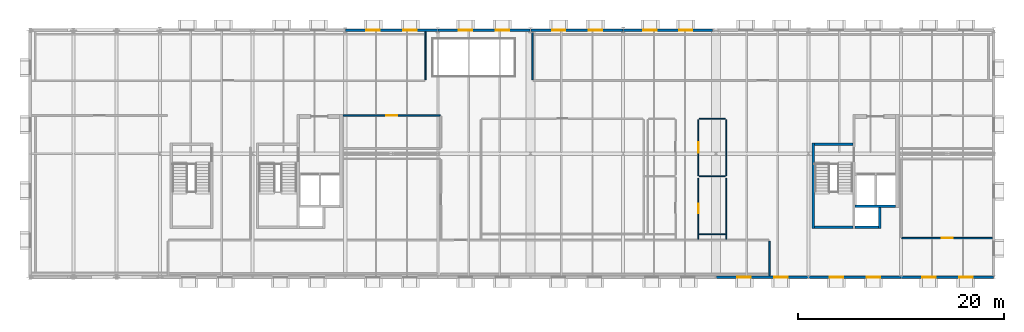
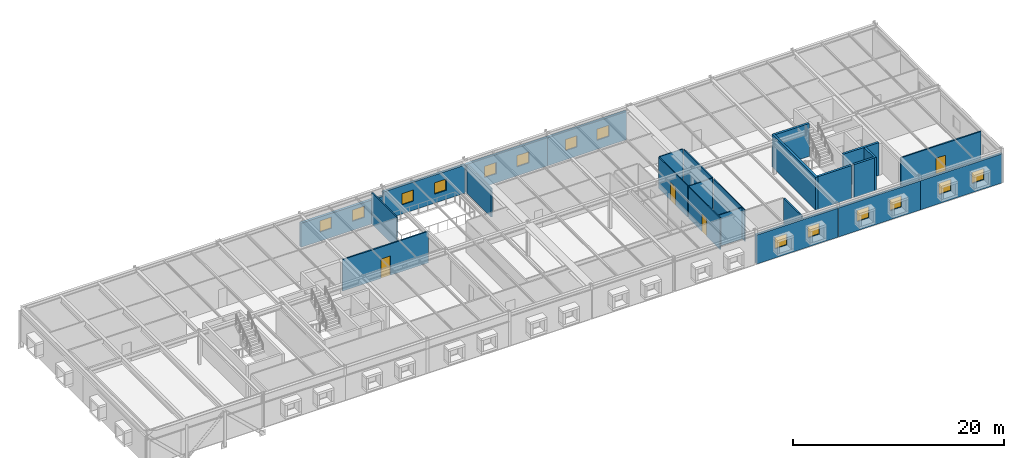
# One storey, part 13 of 17: 25 walls, 14 windows, 4 doors, 18 openings.
"""IFC4 building model written with IfcOpenShell, lengths in metres."""

import ifcopenshell
import ifcopenshell.guid

model = None  # the IFC model being written
_history = None  # IfcOwnerHistory: only IFC2X3 demands one
_inside = {}  # id of a spatial element -> (the spatial element, [elements in it])
_under = {}  # id of a project, library or spatial element -> (it, [spatial elements below it])
_declared = {}  # id of a project -> (the project, [libraries it declares])
_typed = {}  # id of a type object -> (the type object, [elements of that type])
_made_of = {}  # id of a material, layer set ... -> (it, [elements and type objects made of it])


def new_model(schema):
    """Start an empty IFC model of exactly this schema.

    Asked for "IFC4X3", IfcOpenShell would pick the latest addendum, in which some entities
    have other attributes; the version numbers below select the first issue.
    IFC2X3 requires an IfcOwnerHistory on every rooted entity: one is made here for all.
    """
    global model, _history
    if schema == "IFC4X3":
        model = ifcopenshell.file(schema_version=(4, 3, 0, 0))
    else:
        model = ifcopenshell.file(schema=schema)
    _inside.clear()
    _under.clear()
    _declared.clear()
    _typed.clear()
    _made_of.clear()
    _history = None
    if model.schema == "IFC2X3":
        org = make("IfcOrganization", Name="unknown")
        user = make(
            "IfcPersonAndOrganization",
            ThePerson=make("IfcPerson", FamilyName="unknown"),
            TheOrganization=org,
        )
        app = make(
            "IfcApplication",
            ApplicationDeveloper=org,
            Version="unknown",
            ApplicationFullName="unknown",
            ApplicationIdentifier="unknown",
        )
        _history = make(
            "IfcOwnerHistory",
            OwningUser=user,
            OwningApplication=app,
            ChangeAction="ADDED",
            CreationDate=0,
        )
    return model


def make(cls, **values):
    """One entity of the class cls with the attributes given. An attribute that is None is left unset."""
    return model.create_entity(
        cls, **{name: value for name, value in values.items() if value is not None}
    )


def rooted(cls, **values):
    """An entity with a GlobalId (a new one), such as an element, a storey or a relation."""
    return make(cls, GlobalId=ifcopenshell.guid.new(), OwnerHistory=_history, **values)


def si_unit(unit_type, name, prefix=None):
    """IfcSIUnit, for example si_unit("LENGTHUNIT", "METRE", prefix="MILLI")."""
    return make("IfcSIUnit", UnitType=unit_type, Prefix=prefix, Name=name)


def assignment(units):
    """IfcUnitAssignment: the units of a project."""
    return None if units is None else make("IfcUnitAssignment", Units=units)


def point(xyz):
    """IfcCartesianPoint."""
    return None if xyz is None else make("IfcCartesianPoint", Coordinates=xyz)


def direction(xyz):
    """IfcDirection."""
    return None if xyz is None else make("IfcDirection", DirectionRatios=xyz)


def frame(location, z_axis=None, x_axis=None):
    """IfcAxis2Placement3D, a coordinate frame: its origin and axes. An axis left out is left unset."""
    return make(
        "IfcAxis2Placement3D",
        Location=point(location),
        Axis=direction(z_axis),
        RefDirection=direction(x_axis),
    )


def frame_2d(location, x_axis=None):
    """IfcAxis2Placement2D, a coordinate frame in the plane: its origin and x axis."""
    return make(
        "IfcAxis2Placement2D", Location=point(location), RefDirection=direction(x_axis)
    )


def origin():
    """The frame at (0, 0, 0) with its axes left unset."""
    return frame((0.0, 0.0, 0.0))


def place(relative_to, where):
    """IfcLocalPlacement: puts the frame where relative to a parent placement (None: the world)."""
    return make(
        "IfcLocalPlacement", PlacementRelTo=relative_to, RelativePlacement=where
    )


def context(
    kind, dimensions, precision=None, world=None, true_north=None, identifier=None
):
    """IfcGeometricRepresentationContext, for example the 3D "Model" context."""
    return make(
        "IfcGeometricRepresentationContext",
        ContextIdentifier=identifier,
        ContextType=kind,
        CoordinateSpaceDimension=dimensions,
        Precision=precision,
        WorldCoordinateSystem=world,
        TrueNorth=true_north,
    )


def subcontext(parent, identifier, kind, view, scale=None):
    """IfcGeometricRepresentationSubContext, for example "Body" below "Model"."""
    return make(
        "IfcGeometricRepresentationSubContext",
        ContextIdentifier=identifier,
        ContextType=kind,
        ParentContext=parent,
        TargetScale=scale,
        TargetView=view,
    )


def project(units=None, contexts=None):
    """IfcProject with its units and contexts."""
    return rooted(
        "IfcProject",
        Name="project",
        RepresentationContexts=contexts,
        UnitsInContext=assignment(units),
    )


def spatial(cls, under=None, at=None, **own):
    """A site, building, storey or space (cls), placed at a placement, below another one or the project."""
    s = rooted(cls, ObjectPlacement=at, **own)
    if under is not None:
        _under.setdefault(under.id(), (under, []))[1].append(s)
    return s


def profile(cls, at=None, kind="AREA", **sizes):
    """A parametric profile (cls). Its sizes go by their IFC names, for example OverallWidth=200.0."""
    return make(cls, ProfileType=kind, Position=at, **sizes)


def rectangle(**sizes):
    """IfcRectangleProfileDef."""
    return profile("IfcRectangleProfileDef", **sizes)


def extrude(swept, where, along, depth):
    """IfcExtrudedAreaSolid: the profile swept, set in the frame where, extruded along a direction by depth."""
    return make(
        "IfcExtrudedAreaSolid",
        SweptArea=swept,
        Position=where,
        ExtrudedDirection=direction(along),
        Depth=depth,
    )


def shape(context_of_items, identifier, shape_type, items):
    """IfcShapeRepresentation: the items that make up one representation, for example the "Body"."""
    return make(
        "IfcShapeRepresentation",
        ContextOfItems=context_of_items,
        RepresentationIdentifier=identifier,
        RepresentationType=shape_type,
        Items=items,
    )


def material(Name=None, Category=None):
    """IfcMaterial."""
    return make("IfcMaterial", Name=Name, Category=Category)


def layer(
    of_material, thickness, ventilated=None, Name=None, Category=None, Priority=None
):
    """IfcMaterialLayer: one layer of a wall or slab, of a material (None: an air gap)."""
    return make(
        "IfcMaterialLayer",
        Material=of_material,
        LayerThickness=thickness,
        IsVentilated=ventilated,
        Name=Name,
        Category=Category,
        Priority=Priority,
    )


def layer_set(layers, Name=None):
    """IfcMaterialLayerSet."""
    return make("IfcMaterialLayerSet", MaterialLayers=layers, LayerSetName=Name)


def made_of(thing, what):
    """Note that an element or type object is made of a material, layer set ...; save() writes the relation."""
    if what is not None:
        _made_of.setdefault(what.id(), (what, []))[1].append(thing)
    return thing


def type_object(cls, material=None, **own):
    """A type object (cls), such as IfcWallType, which elements share."""
    return made_of(rooted(cls, **own), material)


def element(
    cls,
    number,
    at=None,
    inside=None,
    cuts=None,
    type_object=None,
    material=None,
    context=None,
    identifier="Body",
    shape_type=None,
    held_by="IfcProductDefinitionShape",
    body=None,
    shapes=None,
    **own,
):
    """One element of the class cls, such as IfcWall. Its Tag is "e" and its number.

    at: its placement. inside: the storey or other place that contains it. cuts: it is an
    opening in that element (IfcRelVoidsElement). A single representation is given by context,
    identifier, shape_type and body (its items); several are given by shapes. held_by: the class
    of the entity that holds the representations. save() writes the other relations.
    """
    e = rooted(cls, Tag="e%d" % number, ObjectPlacement=at, **own)
    if body is not None:
        shapes = [shape(context, identifier, shape_type, body)]
    if shapes is not None:
        e.Representation = make(held_by, Representations=shapes)
    if inside is not None:
        _inside.setdefault(inside.id(), (inside, []))[1].append(e)
    if cuts is not None:
        rooted(
            "IfcRelVoidsElement", RelatingBuildingElement=cuts, RelatedOpeningElement=e
        )
    if type_object is not None:
        _typed.setdefault(type_object.id(), (type_object, []))[1].append(e)
    return made_of(e, material)


def fill(opening, filler):
    """IfcRelFillsElement: the door or window that sits in an opening."""
    return rooted(
        "IfcRelFillsElement",
        RelatingOpeningElement=opening,
        RelatedBuildingElement=filler,
    )


def aggregate(whole, parts):
    """IfcRelAggregates: a whole, such as a stair, and the parts it consists of."""
    return rooted("IfcRelAggregates", RelatingObject=whole, RelatedObjects=parts)


def save(model, path):
    """Write the relations noted so far, then the file.

    IfcRelAggregates (storeys below a building ...), IfcRelContainedInSpatialStructure (elements
    in a storey), IfcRelDefinesByType, IfcRelAssociatesMaterial and IfcRelDeclares: one each for
    every whole, place, type object, material and project.
    """
    for whole, parts in _under.values():
        aggregate(whole, parts)
    for where, things in _inside.values():
        rooted(
            "IfcRelContainedInSpatialStructure",
            RelatedElements=things,
            RelatingStructure=where,
        )
    for kind, things in _typed.values():
        rooted("IfcRelDefinesByType", RelatedObjects=things, RelatingType=kind)
    for what, things in _made_of.values():
        rooted("IfcRelAssociatesMaterial", RelatedObjects=things, RelatingMaterial=what)
    for by, libraries in _declared.values():
        rooted("IfcRelDeclares", RelatingContext=by, RelatedDefinitions=libraries)
    model.write(path)


model = new_model("IFC4")

# Units and contexts
model_context = context("Model", 3, precision=1e-05, world=origin(), true_north=direction((0.0, 1.0)))
body_context = subcontext(model_context, "Body", "Model", "MODEL_VIEW")
ifc_project = project(units=[si_unit("LENGTHUNIT", "METRE"), si_unit("AREAUNIT", "SQUARE_METRE"), si_unit("VOLUMEUNIT", "CUBIC_METRE"), si_unit("PLANEANGLEUNIT", "RADIAN"), si_unit("MASSUNIT", "GRAM", prefix="KILO")], contexts=[model_context])

# Site, building, storey
site_placement = place(None, origin())
site = spatial("IfcSite", under=ifc_project, at=site_placement, CompositionType="ELEMENT")
building_placement = place(site_placement, origin())
building = spatial("IfcBuilding", under=site, at=building_placement, Name="Montelvaro Courts of Justice", CompositionType="ELEMENT")
storey_placement = place(building_placement, frame((0.0, 0.0, 31.39990234375)))
storey = spatial("IfcBuildingStorey", under=building, at=storey_placement, Name="L07", CompositionType="ELEMENT", Elevation=31.39990234375)

# Wall
ifc_material_1 = material(Name="Gypsum board on metal stud")
ifc_layer_1 = layer(ifc_material_1, 0.14990234375)
ifc_layer_set_1 = layer_set([ifc_layer_1], Name="Gypsum board on metal stud")
wall_type_1 = type_object("IfcWallType", Name="ChambersPartition_150", PredefinedType="PARTITIONING", material=ifc_layer_set_1)
wall_1_placement = place(storey_placement, frame((104.199951171875, 3.52001953125, 0.0), z_axis=(0.0, 0.0, 1.0), x_axis=(0.0, -1.0, 0.0)))
element("IfcWall", 1, at=wall_1_placement, inside=storey, type_object=wall_type_1, Name="Interior Partition IW-04 (L07)", PredefinedType="PARTITIONING", context=body_context, shape_type="SweptSolid", body=[
    extrude(rectangle(XDim=3.385009765625, YDim=0.14990234375, at=frame_2d((1.6923828125, 0.0))), origin(), (0.0, 0.0, 1.0), 3.64013671875),
])

# Wall, opening, door
wall_2_placement = place(storey_placement, frame((62.794921875, 15.699951171875, 0.0), z_axis=(0.0, 0.0, 1.0), x_axis=(1.0, 0.0, 0.0)))
wall_2 = element("IfcWall", 2, at=wall_2_placement, inside=storey, type_object=wall_type_1, Name="Interior Partition IW-04 (L07)", PredefinedType="PARTITIONING", context=body_context, shape_type="SweptSolid", body=[
    extrude(rectangle(XDim=9.425048828125, YDim=0.14990234375, at=frame_2d((4.71240234375, 0.0))), origin(), (0.0, 0.0, 1.0), 3.64013671875),
])
opening_1_placement = place(wall_2_placement, frame((4.18701171875, 0.0, 0.0)))
opening_1 = element("IfcOpeningElement", 3, at=opening_1_placement, cuts=wall_2, Name="Opening D-L07-180", PredefinedType="OPENING", context=body_context, shape_type="SweptSolid", body=[
    extrude(rectangle(XDim=1.050048828125, YDim=2.25, at=frame_2d((0.52490234375, 1.125))), frame((0.0, 0.08984375, 0.0), z_axis=(0.0, -1.0, 0.0), x_axis=(1.0, 0.0, 0.0)), (0.0, 0.0, 1.0), 0.1796875),
])
ifc_material_2 = material(Name="Acoustic oak timber veneer", Category="wood")
door_type_1 = type_object("IfcDoorType", Name="ChamberDoor_105x225", OperationType="NOTDEFINED", PredefinedType="DOOR", material=ifc_material_2)
door_1_placement = place(opening_1_placement, origin())
door_1 = element("IfcDoor", 4, at=door_1_placement, inside=storey, type_object=door_type_1, Name="Interior Door D-L07-180 (Appellate Secretariat Central L07)", OperationType="SINGLE_SWING_LEFT", OverallHeight=2.25, OverallWidth=1.050048828125, PredefinedType="DOOR", context=body_context, shape_type="SweptSolid", body=[
    extrude(rectangle(XDim=1.050048828125, YDim=2.25, at=frame_2d((0.52490234375, 1.125))), frame((0.0, 0.02490234375, 0.0), z_axis=(0.0, -1.0, 0.0), x_axis=(1.0, 0.0, 0.0)), (0.0, 0.0, 1.0), 0.050048828125),
])
fill(opening_1, door_1)

# Wall
wall_3_placement = place(storey_placement, frame((81.199951171875, 19.179931640625, 0.0), z_axis=(0.0, 0.0, 1.0), x_axis=(0.0, 1.0, 0.0)))
element("IfcWall", 5, at=wall_3_placement, inside=storey, type_object=wall_type_1, Name="Interior Partition IW-04 (L07)", PredefinedType="PARTITIONING", context=body_context, shape_type="SweptSolid", body=[
    extrude(rectangle(XDim=4.572021484375, YDim=0.14990234375, at=frame_2d((2.2861328125, 0.0))), origin(), (0.0, 0.0, 1.0), 3.315185546875),
])

# Wall, opening, door
wall_4_placement = place(storey_placement, frame((125.864990234375, 3.800048828125, 0.0), z_axis=(0.0, 0.0, 1.0), x_axis=(-1.0, 0.0, 0.0)))
wall_4 = element("IfcWall", 6, at=wall_4_placement, inside=storey, type_object=wall_type_1, Name="Interior Partition IW-04 (L07)", PredefinedType="PARTITIONING", context=body_context, shape_type="SweptSolid", body=[
    extrude(rectangle(XDim=8.784912109375, YDim=0.14990234375, at=frame_2d((4.392578125, 0.0))), origin(), (0.0, 0.0, 1.0), 3.64013671875),
])
opening_2_placement = place(wall_4_placement, frame((3.866943359375, 0.0, 0.0)))
opening_2 = element("IfcOpeningElement", 7, at=opening_2_placement, cuts=wall_4, Name="Opening D-L07-184", PredefinedType="OPENING", context=body_context, shape_type="SweptSolid", body=[
    extrude(rectangle(XDim=1.050048828125, YDim=2.25, at=frame_2d((0.52490234375, 1.125))), frame((0.0, 0.08984375, 0.0), z_axis=(0.0, -1.0, 0.0), x_axis=(1.0, 0.0, 0.0)), (0.0, 0.0, 1.0), 0.1796875),
])
door_2_placement = place(opening_2_placement, origin())
door_2 = element("IfcDoor", 8, at=door_2_placement, inside=storey, type_object=door_type_1, Name="Interior Door D-L07-184 (Judicial Clerks' Appellate Office L07)", OperationType="SINGLE_SWING_LEFT", OverallHeight=2.25, OverallWidth=1.050048828125, PredefinedType="DOOR", context=body_context, shape_type="SweptSolid", body=[
    extrude(rectangle(XDim=1.050048828125, YDim=2.25, at=frame_2d((0.52490234375, 1.125))), frame((0.0, 0.02490234375, 0.0), z_axis=(0.0, -1.0, 0.0), x_axis=(1.0, 0.0, 0.0)), (0.0, 0.0, 1.0), 0.050048828125),
])
fill(opening_2, door_2)

# Wall, openings, windows
ifc_material_3 = material(Name="White mineral precast concrete C45/55", Category="concrete")
ifc_layer_2 = layer(ifc_material_3, 0.280029296875)
ifc_layer_set_2 = layer_set([ifc_layer_2], Name="White mineral precast concrete C45/55")
wall_type_2 = type_object("IfcWallType", Name="ExtWall_GFRC_280", PredefinedType="SOLIDWALL", material=ifc_layer_set_2)
wall_5_placement = place(storey_placement, frame((80.94189453125, 24.0, 0.0), z_axis=(0.0, 0.0, 1.0), x_axis=(-1.0, 0.0, 0.0)))
wall_5 = element("IfcWall", 9, at=wall_5_placement, inside=storey, type_object=wall_type_2, Name="Exterior Facade Wall EW-01 (L07)", PredefinedType="SOLIDWALL", context=body_context, shape_type="SweptSolid", body=[
    extrude(rectangle(XDim=8.933837890625, YDim=0.280029296875, at=frame_2d((4.466796875, 0.0))), origin(), (0.0, 0.0, 1.0), 3.255126953125),
])
opening_3_placement = place(wall_5_placement, frame((2.030029296875, 0.0, 1.050048828125)))
opening_3 = element("IfcOpeningElement", 10, at=opening_3_placement, cuts=wall_5, Name="Opening WE-18", PredefinedType="OPENING", context=body_context, shape_type="SweptSolid", body=[
    extrude(rectangle(XDim=1.300048828125, YDim=1.300048828125, at=frame_2d((0.64990234375, 0.64990234375))), frame((0.0, 0.15478515625, 0.0), z_axis=(0.0, -1.0, 0.0), x_axis=(1.0, 0.0, 0.0)), (0.0, 0.0, 1.0), 0.309814453125),
])
opening_4_placement = place(wall_5_placement, frame((5.60400390625, 0.0, 1.050048828125)))
opening_4 = element("IfcOpeningElement", 11, at=opening_4_placement, cuts=wall_5, Name="Opening WE-18", PredefinedType="OPENING", context=body_context, shape_type="SweptSolid", body=[
    extrude(rectangle(XDim=1.300048828125, YDim=1.300048828125, at=frame_2d((0.64990234375, 0.64990234375))), frame((0.0, 0.15478515625, 0.0), z_axis=(0.0, -1.0, 0.0), x_axis=(1.0, 0.0, 0.0)), (0.0, 0.0, 1.0), 0.309814453125),
])
ifc_material_4 = material(Name="Low-E solar control double glazing", Category="glass")
window_type = type_object("IfcWindowType", Name="Win_Sq_130x130", PartitioningType="SINGLE_PANEL", PredefinedType="WINDOW", material=ifc_material_4)
window_1_placement = place(opening_3_placement, origin())
window_1 = element("IfcWindow", 12, at=window_1_placement, inside=storey, type_object=window_type, Name="Window W-L07-334", OverallHeight=1.300048828125, OverallWidth=1.300048828125, PartitioningType="SINGLE_PANEL", PredefinedType="WINDOW", context=body_context, shape_type="SweptSolid", body=[
    extrude(rectangle(XDim=1.300048828125, YDim=1.300048828125, at=frame_2d((0.64990234375, 0.64990234375))), frame((0.0, 0.030029296875, 0.0), z_axis=(0.0, -1.0, 0.0), x_axis=(1.0, 0.0, 0.0)), (0.0, 0.0, 1.0), 0.06005859375),
])
fill(opening_3, window_1)
window_2_placement = place(opening_4_placement, origin())
window_2 = element("IfcWindow", 13, at=window_2_placement, inside=storey, type_object=window_type, Name="Window W-L07-335", OverallHeight=1.300048828125, OverallWidth=1.300048828125, PartitioningType="SINGLE_PANEL", PredefinedType="WINDOW", context=body_context, shape_type="SweptSolid", body=[
    extrude(rectangle(XDim=1.300048828125, YDim=1.300048828125, at=frame_2d((0.64990234375, 0.64990234375))), frame((0.0, 0.030029296875, 0.0), z_axis=(0.0, -1.0, 0.0), x_axis=(1.0, 0.0, 0.0)), (0.0, 0.0, 1.0), 0.06005859375),
])
fill(opening_4, window_2)

wall_6_placement = place(storey_placement, frame((71.991943359375, 24.0, 0.0), z_axis=(0.0, 0.0, 1.0), x_axis=(-1.0, 0.0, 0.0)))
wall_6 = element("IfcWall", 14, at=wall_6_placement, inside=storey, type_object=wall_type_2, Name="Exterior Facade Wall EW-01 (L07)", PredefinedType="SOLIDWALL", context=body_context, shape_type="SweptSolid", body=[
    extrude(rectangle(XDim=8.98388671875, YDim=0.280029296875, at=frame_2d((4.491943359375, 0.0))), origin(), (0.0, 0.0, 1.0), 2.787109375),
])
opening_5_placement = place(wall_6_placement, frame((2.044921875, 0.0, 1.050048828125)))
opening_5 = element("IfcOpeningElement", 15, at=opening_5_placement, cuts=wall_6, Name="Opening WE-18", PredefinedType="OPENING", context=body_context, shape_type="SweptSolid", body=[
    extrude(rectangle(XDim=1.300048828125, YDim=1.300048828125, at=frame_2d((0.64990234375, 0.64990234375))), frame((0.0, 0.15478515625, 0.0), z_axis=(0.0, -1.0, 0.0), x_axis=(1.0, 0.0, 0.0)), (0.0, 0.0, 1.0), 0.309814453125),
])
opening_6_placement = place(wall_6_placement, frame((5.638916015625, 0.0, 1.050048828125)))
opening_6 = element("IfcOpeningElement", 16, at=opening_6_placement, cuts=wall_6, Name="Opening WE-18", PredefinedType="OPENING", context=body_context, shape_type="SweptSolid", body=[
    extrude(rectangle(XDim=1.300048828125, YDim=1.300048828125, at=frame_2d((0.64990234375, 0.64990234375))), frame((0.0, 0.15478515625, 0.0), z_axis=(0.0, -1.0, 0.0), x_axis=(1.0, 0.0, 0.0)), (0.0, 0.0, 1.0), 0.309814453125),
])
window_3_placement = place(opening_5_placement, origin())
window_3 = element("IfcWindow", 17, at=window_3_placement, inside=storey, type_object=window_type, Name="Window W-L07-336", OverallHeight=1.300048828125, OverallWidth=1.300048828125, PartitioningType="SINGLE_PANEL", PredefinedType="WINDOW", context=body_context, shape_type="SweptSolid", body=[
    extrude(rectangle(XDim=1.300048828125, YDim=1.300048828125, at=frame_2d((0.64990234375, 0.64990234375))), frame((0.0, 0.030029296875, 0.0), z_axis=(0.0, -1.0, 0.0), x_axis=(1.0, 0.0, 0.0)), (0.0, 0.0, 1.0), 0.06005859375),
])
fill(opening_5, window_3)
window_4_placement = place(opening_6_placement, origin())
window_4 = element("IfcWindow", 18, at=window_4_placement, inside=storey, type_object=window_type, Name="Window W-L07-337", OverallHeight=1.300048828125, OverallWidth=1.300048828125, PartitioningType="SINGLE_PANEL", PredefinedType="WINDOW", context=body_context, shape_type="SweptSolid", body=[
    extrude(rectangle(XDim=1.300048828125, YDim=1.300048828125, at=frame_2d((0.64990234375, 0.64990234375))), frame((0.0, 0.030029296875, 0.0), z_axis=(0.0, -1.0, 0.0), x_axis=(1.0, 0.0, 0.0)), (0.0, 0.0, 1.0), 0.06005859375),
])
fill(opening_6, window_4)

wall_7_placement = place(storey_placement, frame((98.677001953125, 24.0, 0.0), z_axis=(0.0, 0.0, 1.0), x_axis=(-1.0, 0.0, 0.0)))
wall_7 = element("IfcWall", 19, at=wall_7_placement, inside=storey, type_object=wall_type_2, Name="Exterior Facade Wall EW-01 (L07)", PredefinedType="SOLIDWALL", context=body_context, shape_type="SweptSolid", body=[
    extrude(rectangle(XDim=8.6689453125, YDim=0.280029296875, at=frame_2d((4.33447265625, 0.0))), origin(), (0.0, 0.0, 1.0), 3.255126953125),
])
opening_7_placement = place(wall_7_placement, frame((1.950927734375, 0.0, 1.050048828125)))
opening_7 = element("IfcOpeningElement", 20, at=opening_7_placement, cuts=wall_7, Name="Opening WE-18", PredefinedType="OPENING", context=body_context, shape_type="SweptSolid", body=[
    extrude(rectangle(XDim=1.300048828125, YDim=1.300048828125, at=frame_2d((0.64990234375, 0.64990234375))), frame((0.0, 0.15478515625, 0.0), z_axis=(0.0, -1.0, 0.0), x_axis=(1.0, 0.0, 0.0)), (0.0, 0.0, 1.0), 0.309814453125),
])
opening_8_placement = place(wall_7_placement, frame((5.41796875, 0.0, 1.050048828125)))
opening_8 = element("IfcOpeningElement", 21, at=opening_8_placement, cuts=wall_7, Name="Opening WE-18", PredefinedType="OPENING", context=body_context, shape_type="SweptSolid", body=[
    extrude(rectangle(XDim=1.300048828125, YDim=1.300048828125, at=frame_2d((0.64990234375, 0.64990234375))), frame((0.0, 0.15478515625, 0.0), z_axis=(0.0, -1.0, 0.0), x_axis=(1.0, 0.0, 0.0)), (0.0, 0.0, 1.0), 0.309814453125),
])
window_5_placement = place(opening_7_placement, origin())
window_5 = element("IfcWindow", 22, at=window_5_placement, inside=storey, type_object=window_type, Name="Window W-L07-350", OverallHeight=1.300048828125, OverallWidth=1.300048828125, PartitioningType="SINGLE_PANEL", PredefinedType="WINDOW", context=body_context, shape_type="SweptSolid", body=[
    extrude(rectangle(XDim=1.300048828125, YDim=1.300048828125, at=frame_2d((0.64990234375, 0.64990234375))), frame((0.0, 0.030029296875, 0.0), z_axis=(0.0, -1.0, 0.0), x_axis=(1.0, 0.0, 0.0)), (0.0, 0.0, 1.0), 0.06005859375),
])
fill(opening_7, window_5)
window_6_placement = place(opening_8_placement, origin())
window_6 = element("IfcWindow", 23, at=window_6_placement, inside=storey, type_object=window_type, Name="Window W-L07-351", OverallHeight=1.300048828125, OverallWidth=1.300048828125, PartitioningType="SINGLE_PANEL", PredefinedType="WINDOW", context=body_context, shape_type="SweptSolid", body=[
    extrude(rectangle(XDim=1.300048828125, YDim=1.300048828125, at=frame_2d((0.64990234375, 0.64990234375))), frame((0.0, 0.030029296875, 0.0), z_axis=(0.0, -1.0, 0.0), x_axis=(1.0, 0.0, 0.0)), (0.0, 0.0, 1.0), 0.06005859375),
])
fill(opening_8, window_6)

wall_8_placement = place(storey_placement, frame((89.991943359375, 24.0, 0.0), z_axis=(0.0, 0.0, 1.0), x_axis=(-1.0, 0.0, 0.0)))
wall_8 = element("IfcWall", 24, at=wall_8_placement, inside=storey, type_object=wall_type_2, Name="Exterior Facade Wall EW-01 (L07)", PredefinedType="SOLIDWALL", context=body_context, shape_type="SweptSolid", body=[
    extrude(rectangle(XDim=8.933837890625, YDim=0.280029296875, at=frame_2d((4.466796875, 0.0))), origin(), (0.0, 0.0, 1.0), 3.255126953125),
])
opening_9_placement = place(wall_8_placement, frame((2.030029296875, 0.0, 1.050048828125)))
opening_9 = element("IfcOpeningElement", 25, at=opening_9_placement, cuts=wall_8, Name="Opening WE-18", PredefinedType="OPENING", context=body_context, shape_type="SweptSolid", body=[
    extrude(rectangle(XDim=1.300048828125, YDim=1.300048828125, at=frame_2d((0.64990234375, 0.64990234375))), frame((0.0, 0.15478515625, 0.0), z_axis=(0.0, -1.0, 0.0), x_axis=(1.0, 0.0, 0.0)), (0.0, 0.0, 1.0), 0.309814453125),
])
opening_10_placement = place(wall_8_placement, frame((5.60400390625, 0.0, 1.050048828125)))
opening_10 = element("IfcOpeningElement", 26, at=opening_10_placement, cuts=wall_8, Name="Opening WE-18", PredefinedType="OPENING", context=body_context, shape_type="SweptSolid", body=[
    extrude(rectangle(XDim=1.300048828125, YDim=1.300048828125, at=frame_2d((0.64990234375, 0.64990234375))), frame((0.0, 0.15478515625, 0.0), z_axis=(0.0, -1.0, 0.0), x_axis=(1.0, 0.0, 0.0)), (0.0, 0.0, 1.0), 0.309814453125),
])
window_7_placement = place(opening_9_placement, origin())
window_7 = element("IfcWindow", 27, at=window_7_placement, inside=storey, type_object=window_type, Name="Window W-L07-352", OverallHeight=1.300048828125, OverallWidth=1.300048828125, PartitioningType="SINGLE_PANEL", PredefinedType="WINDOW", context=body_context, shape_type="SweptSolid", body=[
    extrude(rectangle(XDim=1.300048828125, YDim=1.300048828125, at=frame_2d((0.64990234375, 0.64990234375))), frame((0.0, 0.030029296875, 0.0), z_axis=(0.0, -1.0, 0.0), x_axis=(1.0, 0.0, 0.0)), (0.0, 0.0, 1.0), 0.06005859375),
])
fill(opening_9, window_7)
window_8_placement = place(opening_10_placement, origin())
window_8 = element("IfcWindow", 28, at=window_8_placement, inside=storey, type_object=window_type, Name="Window W-L07-353", OverallHeight=1.300048828125, OverallWidth=1.300048828125, PartitioningType="SINGLE_PANEL", PredefinedType="WINDOW", context=body_context, shape_type="SweptSolid", body=[
    extrude(rectangle(XDim=1.300048828125, YDim=1.300048828125, at=frame_2d((0.64990234375, 0.64990234375))), frame((0.0, 0.030029296875, 0.0), z_axis=(0.0, -1.0, 0.0), x_axis=(1.0, 0.0, 0.0)), (0.0, 0.0, 1.0), 0.06005859375),
])
fill(opening_10, window_8)

wall_9_placement = place(storey_placement, frame((99.05810546875, 0.0, 0.0), z_axis=(0.0, 0.0, 1.0), x_axis=(1.0, 0.0, 0.0)))
wall_9 = element("IfcWall", 29, at=wall_9_placement, inside=storey, type_object=wall_type_2, Name="Exterior Facade Wall EW-01 (L07)", PredefinedType="SOLIDWALL", context=body_context, shape_type="SweptSolid", body=[
    extrude(rectangle(XDim=8.933837890625, YDim=0.280029296875, at=frame_2d((4.466796875, 0.0))), origin(), (0.0, 0.0, 1.0), 3.35498046875),
])
opening_11_placement = place(wall_9_placement, frame((2.030029296875, 0.0, 1.050048828125)))
opening_11 = element("IfcOpeningElement", 30, at=opening_11_placement, cuts=wall_9, Name="Opening WE-18", PredefinedType="OPENING", context=body_context, shape_type="SweptSolid", body=[
    extrude(rectangle(XDim=1.300048828125, YDim=1.300048828125, at=frame_2d((0.64990234375, 0.64990234375))), frame((0.0, 0.15478515625, 0.0), z_axis=(0.0, -1.0, 0.0), x_axis=(1.0, 0.0, 0.0)), (0.0, 0.0, 1.0), 0.309814453125),
])
opening_12_placement = place(wall_9_placement, frame((5.60400390625, 0.0, 1.050048828125)))
opening_12 = element("IfcOpeningElement", 31, at=opening_12_placement, cuts=wall_9, Name="Opening WE-18", PredefinedType="OPENING", context=body_context, shape_type="SweptSolid", body=[
    extrude(rectangle(XDim=1.300048828125, YDim=1.300048828125, at=frame_2d((0.64990234375, 0.64990234375))), frame((0.0, 0.15478515625, 0.0), z_axis=(0.0, -1.0, 0.0), x_axis=(1.0, 0.0, 0.0)), (0.0, 0.0, 1.0), 0.309814453125),
])
window_9_placement = place(opening_11_placement, origin())
window_9 = element("IfcWindow", 32, at=window_9_placement, inside=storey, type_object=window_type, Name="Window W-L07-354", OverallHeight=1.300048828125, OverallWidth=1.300048828125, PartitioningType="SINGLE_PANEL", PredefinedType="WINDOW", context=body_context, shape_type="SweptSolid", body=[
    extrude(rectangle(XDim=1.300048828125, YDim=1.300048828125, at=frame_2d((0.64990234375, 0.64990234375))), frame((0.0, 0.030029296875, 0.0), z_axis=(0.0, -1.0, 0.0), x_axis=(1.0, 0.0, 0.0)), (0.0, 0.0, 1.0), 0.06005859375),
])
fill(opening_11, window_9)
window_10_placement = place(opening_12_placement, origin())
window_10 = element("IfcWindow", 33, at=window_10_placement, inside=storey, type_object=window_type, Name="Window W-L07-355", OverallHeight=1.300048828125, OverallWidth=1.300048828125, PartitioningType="SINGLE_PANEL", PredefinedType="WINDOW", context=body_context, shape_type="SweptSolid", body=[
    extrude(rectangle(XDim=1.300048828125, YDim=1.300048828125, at=frame_2d((0.64990234375, 0.64990234375))), frame((0.0, 0.030029296875, 0.0), z_axis=(0.0, -1.0, 0.0), x_axis=(1.0, 0.0, 0.0)), (0.0, 0.0, 1.0), 0.06005859375),
])
fill(opening_12, window_10)

wall_10_placement = place(storey_placement, frame((108.008056640625, 0.0, 0.0), z_axis=(0.0, 0.0, 1.0), x_axis=(1.0, 0.0, 0.0)))
wall_10 = element("IfcWall", 34, at=wall_10_placement, inside=storey, type_object=wall_type_2, Name="Exterior Facade Wall EW-01 (L07)", PredefinedType="SOLIDWALL", context=body_context, shape_type="SweptSolid", body=[
    extrude(rectangle(XDim=8.98388671875, YDim=0.280029296875, at=frame_2d((4.491943359375, 0.0))), origin(), (0.0, 0.0, 1.0), 3.35498046875),
])
opening_13_placement = place(wall_10_placement, frame((2.044921875, 0.0, 1.050048828125)))
opening_13 = element("IfcOpeningElement", 35, at=opening_13_placement, cuts=wall_10, Name="Opening WE-18", PredefinedType="OPENING", context=body_context, shape_type="SweptSolid", body=[
    extrude(rectangle(XDim=1.300048828125, YDim=1.300048828125, at=frame_2d((0.64990234375, 0.64990234375))), frame((0.0, 0.15478515625, 0.0), z_axis=(0.0, -1.0, 0.0), x_axis=(1.0, 0.0, 0.0)), (0.0, 0.0, 1.0), 0.309814453125),
])
opening_14_placement = place(wall_10_placement, frame((5.638916015625, 0.0, 1.050048828125)))
opening_14 = element("IfcOpeningElement", 36, at=opening_14_placement, cuts=wall_10, Name="Opening WE-18", PredefinedType="OPENING", context=body_context, shape_type="SweptSolid", body=[
    extrude(rectangle(XDim=1.300048828125, YDim=1.300048828125, at=frame_2d((0.64990234375, 0.64990234375))), frame((0.0, 0.15478515625, 0.0), z_axis=(0.0, -1.0, 0.0), x_axis=(1.0, 0.0, 0.0)), (0.0, 0.0, 1.0), 0.309814453125),
])
window_11_placement = place(opening_13_placement, origin())
window_11 = element("IfcWindow", 37, at=window_11_placement, inside=storey, type_object=window_type, Name="Window W-L07-356", OverallHeight=1.300048828125, OverallWidth=1.300048828125, PartitioningType="SINGLE_PANEL", PredefinedType="WINDOW", context=body_context, shape_type="SweptSolid", body=[
    extrude(rectangle(XDim=1.300048828125, YDim=1.300048828125, at=frame_2d((0.64990234375, 0.64990234375))), frame((0.0, 0.030029296875, 0.0), z_axis=(0.0, -1.0, 0.0), x_axis=(1.0, 0.0, 0.0)), (0.0, 0.0, 1.0), 0.06005859375),
])
fill(opening_13, window_11)
window_12_placement = place(opening_14_placement, origin())
window_12 = element("IfcWindow", 38, at=window_12_placement, inside=storey, type_object=window_type, Name="Window W-L07-357", OverallHeight=1.300048828125, OverallWidth=1.300048828125, PartitioningType="SINGLE_PANEL", PredefinedType="WINDOW", context=body_context, shape_type="SweptSolid", body=[
    extrude(rectangle(XDim=1.300048828125, YDim=1.300048828125, at=frame_2d((0.64990234375, 0.64990234375))), frame((0.0, 0.030029296875, 0.0), z_axis=(0.0, -1.0, 0.0), x_axis=(1.0, 0.0, 0.0)), (0.0, 0.0, 1.0), 0.06005859375),
])
fill(opening_14, window_12)

wall_11_placement = place(storey_placement, frame((117.008056640625, 0.0, 0.0), z_axis=(0.0, 0.0, 1.0), x_axis=(1.0, 0.0, 0.0)))
wall_11 = element("IfcWall", 39, at=wall_11_placement, inside=storey, type_object=wall_type_2, Name="Exterior Facade Wall EW-01 (L07)", PredefinedType="SOLIDWALL", context=body_context, shape_type="SweptSolid", body=[
    extrude(rectangle(XDim=8.98388671875, YDim=0.280029296875, at=frame_2d((4.491943359375, 0.0))), origin(), (0.0, 0.0, 1.0), 3.35498046875),
])
opening_15_placement = place(wall_11_placement, frame((2.044921875, 0.0, 1.050048828125)))
opening_15 = element("IfcOpeningElement", 40, at=opening_15_placement, cuts=wall_11, Name="Opening WE-18", PredefinedType="OPENING", context=body_context, shape_type="SweptSolid", body=[
    extrude(rectangle(XDim=1.300048828125, YDim=1.300048828125, at=frame_2d((0.64990234375, 0.64990234375))), frame((0.0, 0.15478515625, 0.0), z_axis=(0.0, -1.0, 0.0), x_axis=(1.0, 0.0, 0.0)), (0.0, 0.0, 1.0), 0.309814453125),
])
opening_16_placement = place(wall_11_placement, frame((5.638916015625, 0.0, 1.050048828125)))
opening_16 = element("IfcOpeningElement", 41, at=opening_16_placement, cuts=wall_11, Name="Opening WE-18", PredefinedType="OPENING", context=body_context, shape_type="SweptSolid", body=[
    extrude(rectangle(XDim=1.300048828125, YDim=1.300048828125, at=frame_2d((0.64990234375, 0.64990234375))), frame((0.0, 0.15478515625, 0.0), z_axis=(0.0, -1.0, 0.0), x_axis=(1.0, 0.0, 0.0)), (0.0, 0.0, 1.0), 0.309814453125),
])
window_13_placement = place(opening_15_placement, origin())
window_13 = element("IfcWindow", 42, at=window_13_placement, inside=storey, type_object=window_type, Name="Window W-L07-358", OverallHeight=1.300048828125, OverallWidth=1.300048828125, PartitioningType="SINGLE_PANEL", PredefinedType="WINDOW", context=body_context, shape_type="SweptSolid", body=[
    extrude(rectangle(XDim=1.300048828125, YDim=1.300048828125, at=frame_2d((0.64990234375, 0.64990234375))), frame((0.0, 0.030029296875, 0.0), z_axis=(0.0, -1.0, 0.0), x_axis=(1.0, 0.0, 0.0)), (0.0, 0.0, 1.0), 0.06005859375),
])
fill(opening_15, window_13)
window_14_placement = place(opening_16_placement, origin())
window_14 = element("IfcWindow", 43, at=window_14_placement, inside=storey, type_object=window_type, Name="Window W-L07-359", OverallHeight=1.300048828125, OverallWidth=1.300048828125, PartitioningType="SINGLE_PANEL", PredefinedType="WINDOW", context=body_context, shape_type="SweptSolid", body=[
    extrude(rectangle(XDim=1.300048828125, YDim=1.300048828125, at=frame_2d((0.64990234375, 0.64990234375))), frame((0.0, 0.030029296875, 0.0), z_axis=(0.0, -1.0, 0.0), x_axis=(1.0, 0.0, 0.0)), (0.0, 0.0, 1.0), 0.06005859375),
])
fill(opening_16, window_14)

# Walls
ifc_layer_3 = layer(ifc_material_1, 0.1201171875)
ifc_layer_set_3 = layer_set([ifc_layer_3], Name="Gypsum board on metal stud")
wall_type_3 = type_object("IfcWallType", Name="OfficePartition_120", PredefinedType="PARTITIONING", material=ifc_layer_set_3)
wall_12_placement = place(storey_placement, frame((70.800048828125, 23.864990234375, 0.0), z_axis=(0.0, 0.0, 1.0), x_axis=(0.0, -1.0, 0.0)))
element("IfcWall", 44, at=wall_12_placement, inside=storey, type_object=wall_type_3, Name="Interior Partition IW-05 (L07)", PredefinedType="PARTITIONING", context=body_context, shape_type="SweptSolid", body=[
    extrude(rectangle(XDim=4.68505859375, YDim=0.1201171875, at=frame_2d((2.342529296875, 0.0))), origin(), (0.0, 0.0, 1.0), 3.64013671875),
])
ifc_material_5 = material(Name="Concrete C35/45", Category="concrete")
ifc_layer_4 = layer(ifc_material_5, 0.239990234375)
ifc_layer_set_4 = layer_set([ifc_layer_4], Name="Concrete C35/45")
wall_type_4 = type_object("IfcWallType", Name="ShaftWall_240", PredefinedType="SHEAR", material=ifc_layer_set_4)
wall_13_placement = place(storey_placement, frame((108.47998046875, 4.760009765625, 0.0), z_axis=(0.0, 0.0, 1.0), x_axis=(0.0, 1.0, 0.0)))
element("IfcWall", 45, at=wall_13_placement, inside=storey, type_object=wall_type_4, Name="Protected Stair Structural Wall ST-K2-W (L07)", PredefinedType="SHEAR", context=body_context, shape_type="SweptSolid", body=[
    extrude(rectangle(XDim=8.280029296875, YDim=0.239990234375, at=frame_2d((4.14013671875, 0.0))), origin(), (0.0, 0.0, 1.0), 3.81005859375),
])
for number, where, z_axis, x_axis, name in (
    (46, (108.60009765625, 4.8798828125, 0.0), (0.0, 0.0, 1.0), (1.0, 0.0, 0.0), "Protected Stair Structural Wall ST-K2-S (L07)"),
    (47, (108.60009765625, 12.919921875, 0.0), (0.0, 0.0, 1.0), (1.0, 0.0, 0.0), "Protected Stair Structural Wall ST-K2-N (L07)"),
):
    element("IfcWall", number, at=place(storey_placement, frame(where, z_axis=z_axis, x_axis=x_axis)), inside=storey, type_object=wall_type_4, Name=name, PredefinedType="SHEAR", context=body_context, shape_type="SweptSolid", body=[
        extrude(rectangle(XDim=3.699951171875, YDim=0.239990234375, at=frame_2d((1.85009765625, 0.0))), origin(), (0.0, 0.0, 1.0), 3.81005859375),
    ])
wall_14_placement = place(storey_placement, frame((112.5400390625, 6.8798828125, 0.0), z_axis=(0.0, 0.0, 1.0), x_axis=(1.0, 0.0, 0.0)))
element("IfcWall", 48, at=wall_14_placement, inside=storey, type_object=wall_type_4, Name="Lift Shaft Back Wall K2 (L07)", PredefinedType="SHEAR", context=body_context, shape_type="SweptSolid", body=[
    extrude(rectangle(XDim=3.89990234375, YDim=0.239990234375, at=frame_2d((1.949951171875, 0.0))), origin(), (0.0, 0.0, 1.0), 3.81005859375),
])
wall_15_placement = place(storey_placement, frame((114.919921875, 4.760009765625, 0.0), z_axis=(0.0, 0.0, 1.0), x_axis=(0.0, 1.0, 0.0)))
element("IfcWall", 49, at=wall_15_placement, inside=storey, type_object=wall_type_4, Name="Service Riser East Shaft Wall K2 (L07)", PredefinedType="SHEAR", context=body_context, shape_type="SweptSolid", body=[
    extrude(rectangle(XDim=2.0, YDim=0.239990234375, at=frame_2d((1.0, 0.0))), origin(), (0.0, 0.0, 1.0), 3.81005859375),
])
wall_16_placement = place(storey_placement, frame((112.5400390625, 4.8798828125, 0.0), z_axis=(0.0, 0.0, 1.0), x_axis=(1.0, 0.0, 0.0)))
element("IfcWall", 50, at=wall_16_placement, inside=storey, type_object=wall_type_4, Name="Service Riser South Shaft Wall K2 (L07)", PredefinedType="SHEAR", context=body_context, shape_type="SweptSolid", body=[
    extrude(rectangle(XDim=2.260009765625, YDim=0.239990234375, at=frame_2d((1.1298828125, 0.0))), origin(), (0.0, 0.0, 1.0), 3.81005859375),
])
ifc_material_6 = material(Name="Moisture-resistant cement board")
ifc_layer_5 = layer(ifc_material_6, 0.10009765625)
ifc_layer_set_5 = layer_set([ifc_layer_5], Name="Moisture-resistant cement board")
wall_type_5 = type_object("IfcWallType", Name="WetWall_100", PredefinedType="PARTITIONING", material=ifc_layer_set_5)
wall_17_placement = place(storey_placement, frame((97.3798828125, 15.39990234375, 0.0), z_axis=(0.0, 0.0, 1.0), x_axis=(1.0, 0.0, 0.0)))
element("IfcWall", 51, at=wall_17_placement, inside=storey, type_object=wall_type_5, Name="Interior Partition IW-06 (L07)", PredefinedType="PARTITIONING", context=body_context, shape_type="SweptSolid", body=[
    extrude(rectangle(XDim=2.5400390625, YDim=0.10009765625, at=frame_2d((1.27001953125, 0.0))), origin(), (0.0, 0.0, 1.0), 3.64013671875),
])
wall_18_placement = place(storey_placement, frame((100.0, 15.320068359375, 0.0), z_axis=(0.0, 0.0, 1.0), x_axis=(0.0, -1.0, 0.0)))
element("IfcWall", 52, at=wall_18_placement, inside=storey, type_object=wall_type_5, Name="Interior Partition IW-06 (L07)", PredefinedType="PARTITIONING", context=body_context, shape_type="SweptSolid", body=[
    extrude(rectangle(XDim=5.440185546875, YDim=0.10009765625, at=frame_2d((2.72021484375, 0.0))), origin(), (0.0, 0.0, 1.0), 3.64013671875),
])
wall_19_placement = place(storey_placement, frame((99.919921875, 9.800048828125, 0.0), z_axis=(0.0, 0.0, 1.0), x_axis=(-1.0, 0.0, 0.0)))
element("IfcWall", 53, at=wall_19_placement, inside=storey, type_object=wall_type_5, Name="Interior Partition IW-06 (L07)", PredefinedType="PARTITIONING", context=body_context, shape_type="SweptSolid", body=[
    extrude(rectangle(XDim=2.5400390625, YDim=0.10009765625, at=frame_2d((1.27001953125, 0.0))), origin(), (0.0, 0.0, 1.0), 3.64013671875),
])

# Wall, opening, door
wall_20_placement = place(storey_placement, frame((97.300048828125, 9.8798828125, 0.0), z_axis=(0.0, 0.0, 1.0), x_axis=(0.0, 1.0, 0.0)))
wall_20 = element("IfcWall", 54, at=wall_20_placement, inside=storey, type_object=wall_type_5, Name="Interior Partition IW-06 (L07)", PredefinedType="PARTITIONING", context=body_context, shape_type="SweptSolid", body=[
    extrude(rectangle(XDim=5.440185546875, YDim=0.10009765625, at=frame_2d((2.72021484375, 0.0))), origin(), (0.0, 0.0, 1.0), 3.64013671875),
])
opening_17_placement = place(wall_20_placement, frame((2.219970703125, 0.0, 0.0)))
opening_17 = element("IfcOpeningElement", 55, at=opening_17_placement, cuts=wall_20, Name="Opening D-L07-188", PredefinedType="OPENING", context=body_context, shape_type="SweptSolid", body=[
    extrude(rectangle(XDim=1.0, YDim=2.10009765625, at=frame_2d((0.5, 1.050048828125))), frame((0.0, 0.06494140625, 0.0), z_axis=(0.0, -1.0, 0.0), x_axis=(1.0, 0.0, 0.0)), (0.0, 0.0, 1.0), 0.1298828125),
])
door_type_2 = type_object("IfcDoorType", Name="AccessibleWCDoor_100x210", OperationType="NOTDEFINED", PredefinedType="DOOR", material=ifc_material_2)
door_3_placement = place(opening_17_placement, origin())
door_3 = element("IfcDoor", 56, at=door_3_placement, inside=storey, type_object=door_type_2, Name="Interior Door D-L07-188 (Seventh Floor Accessible WC)", OperationType="SINGLE_SWING_LEFT", OverallHeight=2.10009765625, OverallWidth=1.0, PredefinedType="DOOR", context=body_context, shape_type="SweptSolid", body=[
    extrude(rectangle(XDim=1.0, YDim=2.10009765625, at=frame_2d((0.5, 1.050048828125))), frame((0.0, 0.02490234375, 0.0), z_axis=(0.0, -1.0, 0.0), x_axis=(1.0, 0.0, 0.0)), (0.0, 0.0, 1.0), 0.050048828125),
])
fill(opening_17, door_3)

# Walls
wall_21_placement = place(storey_placement, frame((100.0, 9.6201171875, 0.0), z_axis=(0.0, 0.0, 1.0), x_axis=(0.0, -1.0, 0.0)))
element("IfcWall", 57, at=wall_21_placement, inside=storey, type_object=wall_type_5, Name="Interior Partition IW-06 (L07)", PredefinedType="PARTITIONING", context=body_context, shape_type="SweptSolid", body=[
    extrude(rectangle(XDim=5.9501953125, YDim=0.10009765625, at=frame_2d((2.97509765625, 0.0))), origin(), (0.0, 0.0, 1.0), 3.64013671875),
])
wall_22_placement = place(storey_placement, frame((99.955078125, 4.199951171875, 0.0), z_axis=(0.0, 0.0, 1.0), x_axis=(-1.0, 0.0, 0.0)))
element("IfcWall", 58, at=wall_22_placement, inside=storey, type_object=wall_type_5, Name="Interior Partition IW-06 (L07)", PredefinedType="PARTITIONING", context=body_context, shape_type="SweptSolid", body=[
    extrude(rectangle(XDim=2.5751953125, YDim=0.10009765625, at=frame_2d((1.28759765625, 0.0))), origin(), (0.0, 0.0, 1.0), 3.64013671875),
])

# Wall, opening, door
wall_23_placement = place(storey_placement, frame((97.300048828125, 3.669921875, 0.0), z_axis=(0.0, 0.0, 1.0), x_axis=(0.0, 1.0, 0.0)))
wall_23 = element("IfcWall", 59, at=wall_23_placement, inside=storey, type_object=wall_type_5, Name="Interior Partition IW-06 (L07)", PredefinedType="PARTITIONING", context=body_context, shape_type="SweptSolid", body=[
    extrude(rectangle(XDim=5.9501953125, YDim=0.10009765625, at=frame_2d((2.97509765625, 0.0))), origin(), (0.0, 0.0, 1.0), 3.64013671875),
])
opening_18_placement = place(wall_23_placement, frame((2.571044921875, 0.0, 0.0)))
opening_18 = element("IfcOpeningElement", 60, at=opening_18_placement, cuts=wall_23, Name="Opening D-L07-189", PredefinedType="OPENING", context=body_context, shape_type="SweptSolid", body=[
    extrude(rectangle(XDim=0.89990234375, YDim=2.050048828125, at=frame_2d((0.449951171875, 1.02490234375))), frame((0.0, 0.06494140625, 0.0), z_axis=(0.0, -1.0, 0.0), x_axis=(1.0, 0.0, 0.0)), (0.0, 0.0, 1.0), 0.1298828125),
])
door_type_3 = type_object("IfcDoorType", Name="RestroomDoor_090x205", OperationType="NOTDEFINED", PredefinedType="DOOR", material=ifc_material_2)
door_4_placement = place(opening_18_placement, frame((0.89990234375, 0.0, 0.0), z_axis=(0.0, 0.0, 1.0), x_axis=(-1.0, 0.0, 0.0)))
door_4 = element("IfcDoor", 61, at=door_4_placement, inside=storey, type_object=door_type_3, Name="Interior Door D-L07-189 (Seventh Floor Cleaners' Store)", OperationType="SINGLE_SWING_RIGHT", OverallHeight=2.050048828125, OverallWidth=0.89990234375, PredefinedType="DOOR", context=body_context, shape_type="SweptSolid", body=[
    extrude(rectangle(XDim=0.89990234375, YDim=2.050048828125, at=frame_2d((0.449951171875, 1.02490234375))), frame((0.0, 0.02490234375, 0.0), z_axis=(0.0, -1.0, 0.0), x_axis=(1.0, 0.0, 0.0)), (0.0, 0.0, 1.0), 0.050048828125),
])
fill(opening_18, door_4)

save(model, "model.ifc")
